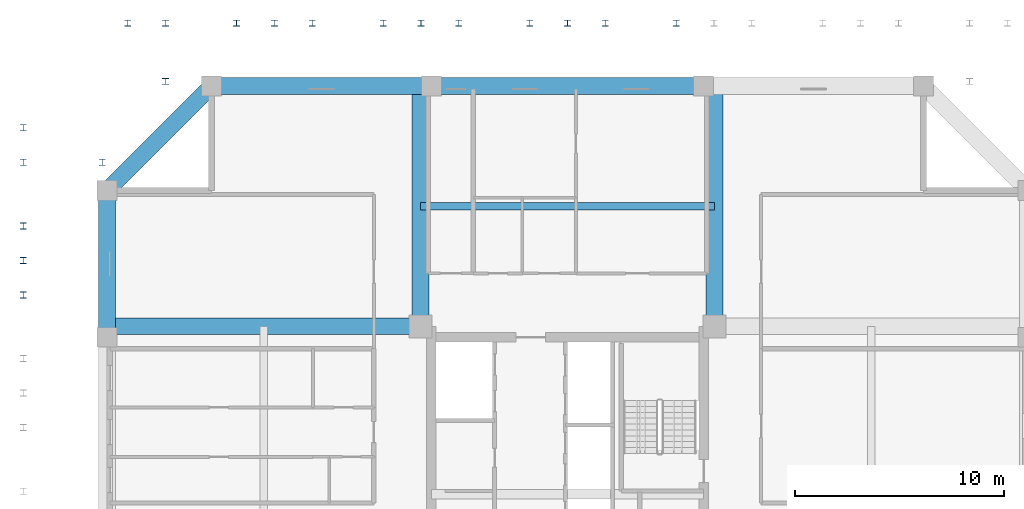
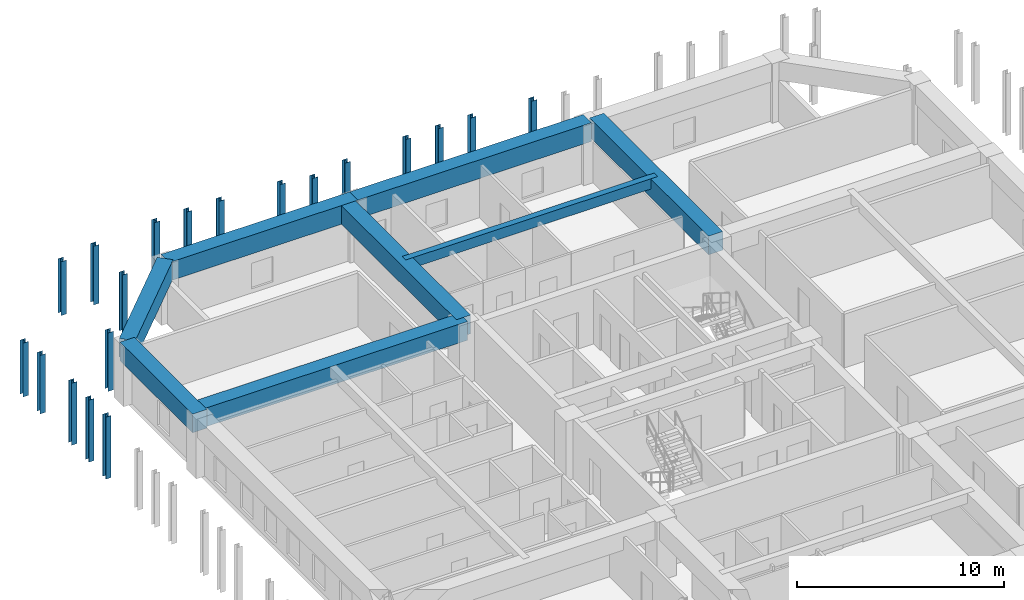
# One storey, part 5 of 13: 19 members, 8 beams.
"""IFC4 building model written with IfcOpenShell, lengths in metres."""

from ifc_helpers import new_model, si_unit, direction, frame, origin, origin_2d, place, context, subcontext, project, spatial, rectangle, i_section, extrude, source, transform, mapped, material, material_profile, profile_set, type_object, element, save


model = new_model("IFC4")

# Units and contexts
model_context = context("Model", 3, precision=1e-05, world=origin(), true_north=direction((0.0, 1.0)))
body_context = subcontext(model_context, "Body", "Model", "MODEL_VIEW")
ifc_project = project(units=[si_unit("LENGTHUNIT", "METRE"), si_unit("AREAUNIT", "SQUARE_METRE"), si_unit("VOLUMEUNIT", "CUBIC_METRE"), si_unit("PLANEANGLEUNIT", "RADIAN"), si_unit("MASSUNIT", "GRAM", prefix="KILO")], contexts=[model_context])

# Site, building, storey
site_placement = place(None, origin())
site = spatial("IfcSite", under=ifc_project, at=site_placement, CompositionType="ELEMENT")
building_placement = place(site_placement, origin())
building = spatial("IfcBuilding", under=site, at=building_placement, Name="Saelheon Loggia Tower", CompositionType="ELEMENT")
storey_placement = place(building_placement, frame((0.0, 0.0, 148.699951171875)))
storey = spatial("IfcBuildingStorey", under=building, at=storey_placement, Name="L47", CompositionType="ELEMENT", Elevation=148.699951171875)

# Members
ifc_material_1 = material(Name="Steel SM355", Category="steel")
ifc_material_profile_1 = material_profile(ifc_material_1, i_section(OverallWidth=0.300048828125, OverallDepth=0.300048828125, WebThickness=0.010009765625, FlangeThickness=0.014892578125, at=origin_2d()), Name="H-300x300x10x15")
ifc_profile_set_1 = profile_set([ifc_material_profile_1], Name="Steel SM355")
member_type_1 = type_object("IfcMemberType", Name="WaveCrest_Post_H300", PredefinedType="POST", material=ifc_profile_set_1)
shared_shape_1 = source(origin(), body_context, "Body", "SweptSolid", [
    extrude(i_section(OverallWidth=0.300048828125, OverallDepth=0.300048828125, WebThickness=0.010009765625, FlangeThickness=0.014892578125, at=origin_2d()), origin(), (0.0, 0.0, 1.0), 3.169921875),
])
for number, where, z_axis, x_axis, name in (
    (1, (12.0, 46.0, -0.14990234375), (0.0, 0.0, 1.0), (1.0, 0.0, 0.0), "Tier 1 Wave Crest Lower Post W 06"),
    (2, (17.0, 51.0, -0.14990234375), (0.0, 0.0, 1.0), (1.0, 0.0, 0.0), "Tier 1 Wave Crest Lower Post N 00"),
    (3, (31.0, 51.0, -0.14990234375), (0.0, 0.0, 1.0), (1.0, 0.0, 0.0), "Tier 1 Wave Crest Lower Post N 02"),
):
    element("IfcMember", number, at=place(storey_placement, frame(where, z_axis=z_axis, x_axis=x_axis)), inside=storey, type_object=member_type_1, Name=name, PredefinedType="POST", context=body_context, shape_type="MappedRepresentation", body=[
        mapped(shared_shape_1, transform((0.0, 0.0, 0.0), scale=1.0)),
    ])
shared_shape_2 = source(origin(), body_context, "Body", "SweptSolid", [
    extrude(i_section(OverallWidth=0.300048828125, OverallDepth=0.300048828125, WebThickness=0.010009765625, FlangeThickness=0.014892578125, at=origin_2d()), origin(), (0.0, 0.0, 1.0), 3.64990234375),
])
for number, where, z_axis, x_axis, name in (
    (4, (12.0, 39.666748046875, -0.14990234375), (0.0, 0.0, 1.0), (1.0, 0.0, 0.0), "Tier 1 Wave Crest Lower Post W 05"),
    (5, (12.0, 38.02197265625, -0.14990234375), (0.0, 0.0, 1.0), (1.0, 0.0, 0.0), "Tier 1 Rafter Outer Lower Post W 05"),
    (6, (12.0, 41.3115234375, -0.14990234375), (0.0, 0.0, 1.0), (1.0, 0.0, 0.0), "Tier 1 Rafter Outer Lower Post W 06"),
    (7, (24.0, 51.0, -0.14990234375), (0.0, 0.0, 1.0), (1.0, 0.0, 0.0), "Tier 1 Wave Crest Lower Post N 01"),
    (8, (38.0, 51.0, -0.14990234375), (0.0, 0.0, 1.0), (1.0, 0.0, 0.0), "Tier 1 Wave Crest Lower Post N 03"),
    (9, (22.1953125, 51.0, -0.14990234375), (0.0, 0.0, 1.0), (1.0, 0.0, 0.0), "Tier 1 Rafter Outer Lower Post N 01"),
    (10, (25.8046875, 51.0, -0.14990234375), (0.0, 0.0, 1.0), (1.0, 0.0, 0.0), "Tier 1 Rafter Outer Lower Post N 02"),
    (11, (36.1953125, 51.0, -0.14990234375), (0.0, 0.0, 1.0), (1.0, 0.0, 0.0), "Tier 1 Rafter Outer Lower Post N 03"),
    (12, (39.8046875, 51.0, -0.14990234375), (0.0, 0.0, 1.0), (1.0, 0.0, 0.0), "Tier 1 Rafter Outer Lower Post N 04"),
):
    element("IfcMember", number, at=place(storey_placement, frame(where, z_axis=z_axis, x_axis=x_axis)), inside=storey, type_object=member_type_1, Name=name, PredefinedType="POST", context=body_context, shape_type="MappedRepresentation", body=[
        mapped(shared_shape_2, transform((0.0, 0.0, 0.0), scale=1.0)),
    ])
shared_shape_3 = source(origin(), body_context, "Body", "SweptSolid", [
    extrude(i_section(OverallWidth=0.300048828125, OverallDepth=0.300048828125, WebThickness=0.010009765625, FlangeThickness=0.014892578125, at=origin_2d()), origin(), (0.0, 0.0, 1.0), 3.44189453125),
])
member_1_placement = place(storey_placement, frame((12.0, 44.355224609375, -0.14990234375), z_axis=(0.0, 0.0, 1.0), x_axis=(1.0, 0.0, 0.0)))
element("IfcMember", 13, at=member_1_placement, inside=storey, type_object=member_type_1, Name="Tier 1 Rafter Outer Lower Post W 06", PredefinedType="POST", context=body_context, shape_type="MappedRepresentation", body=[
    mapped(shared_shape_3, transform((0.0, 0.0, 0.0), scale=1.0)),
])
ifc_material_profile_2 = material_profile(ifc_material_1, i_section(OverallWidth=0.300048828125, OverallDepth=0.300048828125, WebThickness=0.010009765625, FlangeThickness=0.014892578125, at=origin_2d()), Name="H-300x300x10x15")
ifc_profile_set_2 = profile_set([ifc_material_profile_2], Name="Steel SM355")
member_type_2 = type_object("IfcMemberType", Name="Belt_Post_H300", PredefinedType="POST", material=ifc_profile_set_2)
member_2_placement = place(storey_placement, frame((15.780029296875, 44.355224609375, -0.14990234375), z_axis=(0.0, 0.0, 1.0), x_axis=(1.0, 0.0, 0.0)))
element("IfcMember", 14, at=member_2_placement, inside=storey, type_object=member_type_2, Name="Tier 1 Rafter Inner Lower Post W 06", PredefinedType="POST", context=body_context, shape_type="MappedRepresentation", body=[
    mapped(shared_shape_3, transform((0.0, 0.0, 0.0), scale=1.0)),
])
shared_shape_4 = source(origin(), body_context, "Body", "SweptSolid", [
    extrude(i_section(OverallWidth=0.300048828125, OverallDepth=0.300048828125, WebThickness=0.010009765625, FlangeThickness=0.014892578125, at=origin_2d()), origin(), (0.0, 0.0, 1.0), 3.446044921875),
])
member_3_placement = place(storey_placement, frame((18.8046875, 51.0, -0.14990234375), z_axis=(0.0, 0.0, 1.0), x_axis=(1.0, 0.0, 0.0)))
element("IfcMember", 15, at=member_3_placement, inside=storey, type_object=member_type_1, Name="Tier 1 Rafter Outer Lower Post N 01", PredefinedType="POST", context=body_context, shape_type="MappedRepresentation", body=[
    mapped(shared_shape_4, transform((0.0, 0.0, 0.0), scale=1.0)),
])
member_4_placement = place(storey_placement, frame((18.8046875, 48.219970703125, -0.14990234375), z_axis=(0.0, 0.0, 1.0), x_axis=(1.0, 0.0, 0.0)))
element("IfcMember", 16, at=member_4_placement, inside=storey, type_object=member_type_2, Name="Tier 1 Rafter Inner Lower Post N 01", PredefinedType="POST", context=body_context, shape_type="MappedRepresentation", body=[
    mapped(shared_shape_4, transform((0.0, 0.0, 0.0), scale=1.0)),
])
for number, where, z_axis, x_axis, name in (
    (17, (29.1953125, 51.0, -0.14990234375), (0.0, 0.0, 1.0), (1.0, 0.0, 0.0), "Tier 1 Rafter Outer Lower Post N 02"),
    (18, (32.8046875, 51.0, -0.14990234375), (0.0, 0.0, 1.0), (1.0, 0.0, 0.0), "Tier 1 Rafter Outer Lower Post N 03"),
    (19, (43.1953125, 51.0, -0.14990234375), (0.0, 0.0, 1.0), (1.0, 0.0, 0.0), "Tier 1 Rafter Outer Lower Post N 04"),
):
    element("IfcMember", number, at=place(storey_placement, frame(where, z_axis=z_axis, x_axis=x_axis)), inside=storey, type_object=member_type_1, Name=name, PredefinedType="POST", context=body_context, shape_type="MappedRepresentation", body=[
        mapped(shared_shape_4, transform((0.0, 0.0, 0.0), scale=1.0)),
    ])

# Beams
ifc_material_2 = material(Name="Concrete C45/55", Category="concrete")
ifc_material_profile_3 = material_profile(ifc_material_2, rectangle(XDim=0.35009765625, YDim=0.60009765625, at=origin_2d()), Name="RC-350x600")
ifc_profile_set_3 = profile_set([ifc_material_profile_3], Name="Concrete C45/55")
beam_type_1 = type_object("IfcBeamType", Name="Beam_AmenityJoist_RC350x600", PredefinedType="JOIST", material=ifc_profile_set_3)
shared_shape_5 = source(origin(), body_context, "Body", "SweptSolid", [
    extrude(rectangle(XDim=0.35009765625, YDim=0.60009765625, at=origin_2d()), origin(), (0.0, 0.0, 1.0), 14.0400390625),
])
beam_1_placement = place(storey_placement, frame((30.97998046875, 42.260009765625, 3.199951171875), z_axis=(1.0, 0.0, 0.0), x_axis=(0.0, 1.0, 0.0)))
element("IfcBeam", 20, at=beam_1_placement, inside=storey, type_object=beam_type_1, Name="L47 North Floor Joist", PredefinedType="JOIST", context=body_context, shape_type="MappedRepresentation", body=[
    mapped(shared_shape_5, transform((0.0, 0.0, 0.0), scale=1.0)),
])
ifc_material_3 = material(Name="Concrete C50/60", Category="concrete")
ifc_material_profile_4 = material_profile(ifc_material_3, rectangle(XDim=0.800048828125, YDim=1.10009765625, at=origin_2d()), Name="RC-800x1100")
ifc_profile_set_4 = profile_set([ifc_material_profile_4], Name="Concrete C50/60")
beam_type_2 = type_object("IfcBeamType", Name="Beam_PerimSetback_RC800x1100", PredefinedType="BEAM", material=ifc_profile_set_4)
shared_shape_6 = source(origin(), body_context, "Body", "SweptSolid", [
    extrude(rectangle(XDim=0.800048828125, YDim=1.10009765625, at=origin_2d()), origin(), (0.0, 0.0, 1.0), 10.5),
])
beam_2_placement = place(storey_placement, frame((31.5, 48.0, 2.949951171875), z_axis=(-1.0, 0.0, 0.0), x_axis=(0.0, -1.0, 0.0)))
element("IfcBeam", 21, at=beam_2_placement, inside=storey, type_object=beam_type_2, Name="L47 Perimeter Frame Girder 11", PredefinedType="BEAM", context=body_context, shape_type="MappedRepresentation", body=[
    mapped(shared_shape_6, transform((0.0, 0.0, 0.0), scale=1.0)),
])
shared_shape_7 = source(origin(), body_context, "Body", "SweptSolid", [
    extrude(rectangle(XDim=0.800048828125, YDim=1.10009765625, at=origin_2d()), origin(), (0.0, 0.0, 1.0), 13.0),
])
beam_3_placement = place(storey_placement, frame((44.5, 48.0, 2.949951171875), z_axis=(-1.0, 0.0, 0.0), x_axis=(0.0, -1.0, 0.0)))
element("IfcBeam", 22, at=beam_3_placement, inside=storey, type_object=beam_type_2, Name="L47 Perimeter Frame Girder 10", PredefinedType="BEAM", context=body_context, shape_type="MappedRepresentation", body=[
    mapped(shared_shape_7, transform((0.0, 0.0, 0.0), scale=1.0)),
])
shared_shape_8 = source(origin(), body_context, "Body", "SweptSolid", [
    extrude(rectangle(XDim=0.800048828125, YDim=1.10009765625, at=origin_2d()), origin(), (0.0, 0.0, 1.0), 7.071044921875),
])
beam_4_placement = place(storey_placement, frame((21.0, 48.0, 2.949951171875), z_axis=(-0.707106781187, -0.707106781187, 0.0), x_axis=(0.707106781187, -0.707106781187, 0.0)))
element("IfcBeam", 23, at=beam_4_placement, inside=storey, type_object=beam_type_2, Name="L47 Perimeter Frame Girder 12", PredefinedType="BEAM", context=body_context, shape_type="MappedRepresentation", body=[
    mapped(shared_shape_8, transform((0.0, 0.0, 0.0), scale=1.0)),
])
shared_shape_9 = source(origin(), body_context, "Body", "SweptSolid", [
    extrude(rectangle(XDim=0.800048828125, YDim=1.10009765625, at=origin_2d()), origin(), (0.0, 0.0, 1.0), 7.0),
])
beam_5_placement = place(storey_placement, frame((16.0, 43.0, 2.949951171875), z_axis=(0.0, -1.0, 0.0), x_axis=(1.0, 0.0, 0.0)))
element("IfcBeam", 24, at=beam_5_placement, inside=storey, type_object=beam_type_2, Name="L47 Perimeter Frame Girder 13", PredefinedType="BEAM", context=body_context, shape_type="MappedRepresentation", body=[
    mapped(shared_shape_9, transform((0.0, 0.0, 0.0), scale=1.0)),
])
ifc_material_profile_5 = material_profile(ifc_material_3, rectangle(XDim=0.800048828125, YDim=1.10009765625, at=origin_2d()), Name="RC-800x1100")
ifc_profile_set_5 = profile_set([ifc_material_profile_5], Name="Concrete C50/60")
beam_type_3 = type_object("IfcBeamType", Name="Beam_SetbackTransfer_RC800x1100", PredefinedType="BEAM", material=ifc_profile_set_5)
shared_shape_10 = source(origin(), body_context, "Body", "SweptSolid", [
    extrude(rectangle(XDim=0.800048828125, YDim=1.10009765625, at=origin_2d()), origin(), (0.0, 0.0, 1.0), 11.47998046875),
])
for number, where, z_axis, x_axis, name in (
    (25, (30.97998046875, 36.52001953125, 2.949951171875), (0.0, 1.0, 0.0), (-1.0, 0.0, 0.0), "L47 Radial Floor Girder RAD-NW-N"),
    (26, (45.02001953125, 36.52001953125, 2.949951171875), (0.0, 1.0, 0.0), (-1.0, 0.0, 0.0), "L47 Radial Floor Girder RAD-NE-N"),
):
    element("IfcBeam", number, at=place(storey_placement, frame(where, z_axis=z_axis, x_axis=x_axis)), inside=storey, type_object=beam_type_3, Name=name, PredefinedType="BEAM", context=body_context, shape_type="MappedRepresentation", body=[
        mapped(shared_shape_10, transform((0.0, 0.0, 0.0), scale=1.0)),
    ])
shared_shape_11 = source(origin(), body_context, "Body", "SweptSolid", [
    extrude(rectangle(XDim=0.800048828125, YDim=1.10009765625, at=origin_2d()), origin(), (0.0, 0.0, 1.0), 14.97998046875),
])
beam_6_placement = place(storey_placement, frame((30.97998046875, 36.52001953125, 2.949951171875), z_axis=(-1.0, 0.0, 0.0), x_axis=(0.0, -1.0, 0.0)))
element("IfcBeam", 27, at=beam_6_placement, inside=storey, type_object=beam_type_3, Name="L47 Radial Floor Girder RAD-NW-W", PredefinedType="BEAM", context=body_context, shape_type="MappedRepresentation", body=[
    mapped(shared_shape_11, transform((0.0, 0.0, 0.0), scale=1.0)),
])

save(model, "model.ifc")
